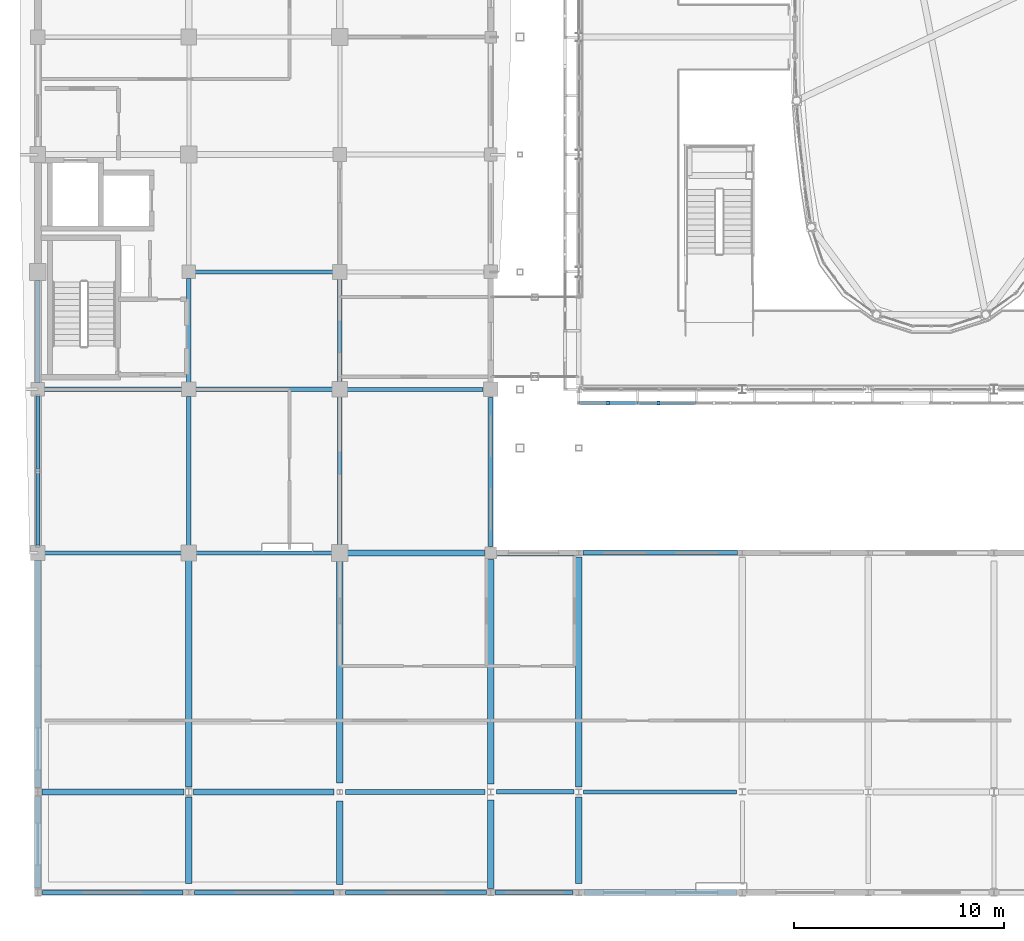
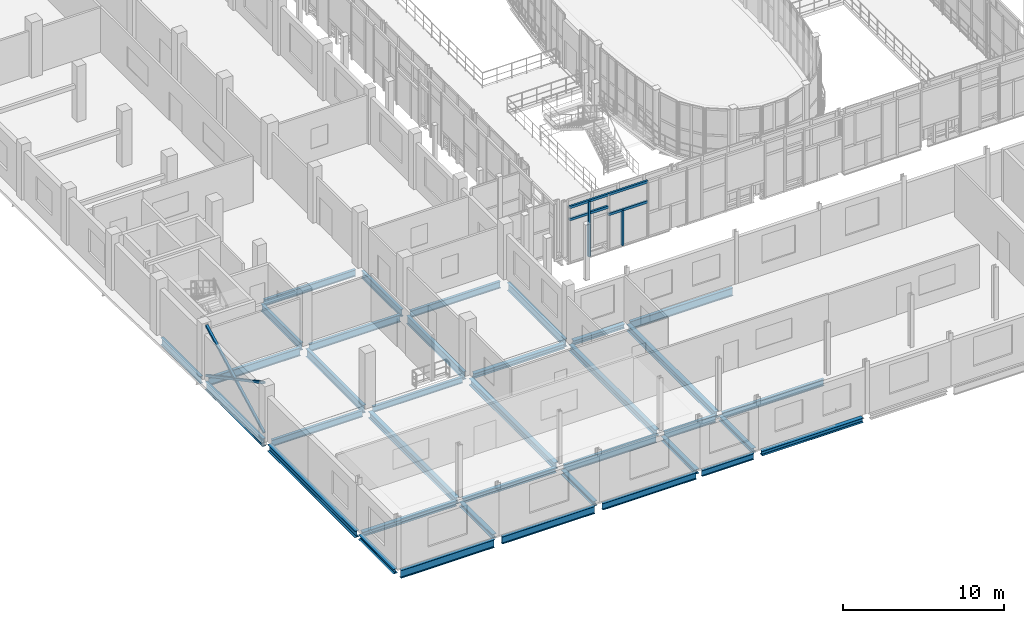
# One storey, part 28 of 121: 36 beams, 9 members.
"""IFC4 building model written with IfcOpenShell, lengths in metres."""

from ifc_helpers import new_model, si_unit, direction, frame, origin, origin_2d, place, context, subcontext, project, spatial, rectangle, hollow_rectangle, i_section, extrude, material, material_profile, profile_set, type_object, element, save


model = new_model("IFC4")

# Units and contexts
model_context = context("Model", 3, precision=1e-05, world=origin(), true_north=direction((0.0, 1.0)))
body_context = subcontext(model_context, "Body", "Model", "MODEL_VIEW")
ifc_project = project(units=[si_unit("LENGTHUNIT", "METRE"), si_unit("AREAUNIT", "SQUARE_METRE"), si_unit("VOLUMEUNIT", "CUBIC_METRE"), si_unit("PLANEANGLEUNIT", "RADIAN"), si_unit("MASSUNIT", "GRAM", prefix="KILO")], contexts=[model_context])

# Site, building, storey
site_placement = place(None, origin())
site = spatial("IfcSite", under=ifc_project, at=site_placement, CompositionType="ELEMENT")
building_placement = place(site_placement, origin())
building = spatial("IfcBuilding", under=site, at=building_placement, Name="Vinh Khe Railworks Police Headquarters", CompositionType="ELEMENT")
storey_placement = place(building_placement, frame((0.0, 0.0, 4.800048828125)))
storey = spatial("IfcBuildingStorey", under=building, at=storey_placement, Name="L01", CompositionType="ELEMENT", Elevation=4.800048828125)

# Members
ifc_material_1 = material(Name="Steel S355JR", Category="steel")
ifc_material_profile_1 = material_profile(ifc_material_1, hollow_rectangle(XDim=0.159912109375, YDim=0.159912109375, WallThickness=0.010009765625, at=origin_2d()), Name="SHS 160x160x10")
ifc_profile_set_1 = profile_set([ifc_material_profile_1], Name="Steel S355JR")
member_type_1 = type_object("IfcMemberType", Name="Concentric Brace SHS 160x160x10", PredefinedType="BRACE", material=ifc_profile_set_1)
member_1_placement = place(storey_placement, frame((0.60009765625, 17.72998046875, 0.199951171875), z_axis=(0.0, 0.883441335437, 0.468541787722), x_axis=(-1.0, 0.0, 0.0)))
element("IfcMember", 1, at=member_1_placement, inside=storey, type_object=member_type_1, Name="Continuous Concentric Brace MEM-BR-L01-BR-04-004", PredefinedType="BRACE", context=body_context, shape_type="SweptSolid", body=[
    extrude(hollow_rectangle(XDim=0.159912109375, YDim=0.159912109375, WallThickness=0.010009765625, at=origin_2d()), origin(), (0.0, 0.0, 1.0), 8.1103515625),
])
for number, where, z_axis, x_axis, name in (
    (2, (0.60009765625, 17.72998046875, 4.0), (0.0, 0.883437816607, -0.468548422459), (-1.0, 0.0, 0.0), "Split X-Brace Segment MEM-BR-L01-BR-04-005 (2A)"),
    (3, (0.60009765625, 21.385986328125, 2.06103515625), (0.0, 0.883437816607, -0.468548422459), (-1.0, 0.0, 0.0), "Split X-Brace Segment MEM-BR-L01-BR-04-006 (2B)"),
):
    element("IfcMember", number, at=place(storey_placement, frame(where, z_axis=z_axis, x_axis=x_axis)), inside=storey, type_object=member_type_1, Name=name, PredefinedType="BRACE", context=body_context, shape_type="SweptSolid", body=[
        extrude(hollow_rectangle(XDim=0.159912109375, YDim=0.159912109375, WallThickness=0.010009765625, at=origin_2d()), origin(), (0.0, 0.0, 1.0), 3.971923828125),
    ])
ifc_material_2 = material(Name="Salvaged ironwood timber", Category="wood")
ifc_material_profile_2 = material_profile(ifc_material_2, rectangle(XDim=0.139892578125, YDim=0.179931640625, at=origin_2d()), Name="TIMBER 140x180")
ifc_profile_set_2 = profile_set([ifc_material_profile_2], Name="Salvaged ironwood timber")
member_type_2 = type_object("IfcMemberType", Name="MEM-QUILT-STILE", PredefinedType="CHORD", material=ifc_profile_set_2)
for number, where, z_axis, x_axis, name in (
    (4, (26.39990234375, 24.550048828125, 4.119873046875), (1.0, 0.0, 0.0), (0.0, 1.0, 0.0), "Salvaged Timber Quilt Transom S-L01-00-TOP"),
    (5, (26.39990234375, 24.550048828125, 3.19189453125), (1.0, 0.0, 0.0), (0.0, 1.0, 0.0), "Salvaged Timber Quilt Transom S-L01-00-M1"),
):
    element("IfcMember", number, at=place(storey_placement, frame(where, z_axis=z_axis, x_axis=x_axis)), inside=storey, type_object=member_type_2, Name=name, PredefinedType="CHORD", context=body_context, shape_type="SweptSolid", body=[
        extrude(rectangle(XDim=0.139892578125, YDim=0.179931640625, at=origin_2d()), origin(), (0.0, 0.0, 1.0), 2.800048828125),
    ])
member_2_placement = place(storey_placement, frame((27.800048828125, 24.550048828125, -0.080078125), z_axis=(0.0, 0.0, 1.0), x_axis=(1.0, 0.0, 0.0)))
element("IfcMember", 6, at=member_2_placement, inside=storey, type_object=member_type_2, Name="Salvaged Timber Quilt Stile S-L01-00-V1", PredefinedType="POST", context=body_context, shape_type="SweptSolid", body=[
    extrude(rectangle(XDim=0.139892578125, YDim=0.179931640625, at=origin_2d()), origin(), (0.0, 0.0, 1.0), 4.199951171875),
])
for number, where, z_axis, x_axis, name in (
    (7, (29.199951171875, 24.550048828125, 4.119873046875), (1.0, 0.0, 0.0), (0.0, 1.0, 0.0), "Salvaged Timber Quilt Transom S-L01-01-TOP"),
    (8, (29.199951171875, 24.550048828125, 2.60400390625), (1.0, 0.0, 0.0), (0.0, 1.0, 0.0), "Salvaged Timber Quilt Transom S-L01-01-M1"),
):
    element("IfcMember", number, at=place(storey_placement, frame(where, z_axis=z_axis, x_axis=x_axis)), inside=storey, type_object=member_type_2, Name=name, PredefinedType="CHORD", context=body_context, shape_type="SweptSolid", body=[
        extrude(rectangle(XDim=0.139892578125, YDim=0.179931640625, at=origin_2d()), origin(), (0.0, 0.0, 1.0), 2.800048828125),
    ])
member_3_placement = place(storey_placement, frame((30.2080078125, 24.550048828125, -0.080078125), z_axis=(0.0, 0.0, 1.0), x_axis=(1.0, 0.0, 0.0)))
element("IfcMember", 9, at=member_3_placement, inside=storey, type_object=member_type_2, Name="Salvaged Timber Quilt Stile S-L01-01-V1", PredefinedType="POST", context=body_context, shape_type="SweptSolid", body=[
    extrude(rectangle(XDim=0.139892578125, YDim=0.179931640625, at=origin_2d()), origin(), (0.0, 0.0, 1.0), 2.68408203125),
])

# Beams
ifc_material_profile_3 = material_profile(ifc_material_1, i_section(OverallWidth=0.300048828125, OverallDepth=0.330078125, WebThickness=0.009521484375, FlangeThickness=0.0166015625, FilletRadius=0.027099609375, at=origin_2d()), Name="HEA 340")
ifc_profile_set_3 = profile_set([ifc_material_profile_3], Name="Steel S355JR")
beam_type_1 = type_object("IfcBeamType", Name="Steel Girder HEA 340", PredefinedType="BEAM", material=ifc_profile_set_3)
beam_1_placement = place(storey_placement, frame((8.030029296875, 6.0, -0.405029296875), z_axis=(1.0, 0.0, 0.0), x_axis=(0.0, 1.0, 0.0)))
element("IfcBeam", 10, at=beam_1_placement, inside=storey, type_object=beam_type_1, Name="Girder BM-L01-EW-SB-16-0416", PredefinedType="BEAM", context=body_context, shape_type="SweptSolid", body=[
    extrude(i_section(OverallWidth=0.300048828125, OverallDepth=0.330078125, WebThickness=0.009521484375, FlangeThickness=0.0166015625, FilletRadius=0.027099609375, at=origin_2d()), origin(), (0.0, 0.0, 1.0), 6.68994140625),
])
beam_2_placement = place(storey_placement, frame((22.5048828125, 17.39990234375, -0.405029296875), z_axis=(1.0, 0.0, 0.0), x_axis=(0.0, 1.0, 0.0)))
element("IfcBeam", 11, at=beam_2_placement, inside=storey, type_object=beam_type_1, Name="Girder BM-L01-EW-SB-16-0428", PredefinedType="BEAM", context=body_context, shape_type="SweptSolid", body=[
    extrude(i_section(OverallWidth=0.300048828125, OverallDepth=0.330078125, WebThickness=0.009521484375, FlangeThickness=0.0166015625, FilletRadius=0.027099609375, at=origin_2d()), origin(), (0.0, 0.0, 1.0), 3.690185546875),
])
ifc_material_profile_4 = material_profile(ifc_material_1, i_section(OverallWidth=0.300048828125, OverallDepth=0.35009765625, WebThickness=0.010009765625, FlangeThickness=0.017578125, FilletRadius=0.027099609375, at=origin_2d()), Name="HEA 360")
ifc_profile_set_4 = profile_set([ifc_material_profile_4], Name="Steel S355JR")
beam_type_2 = type_object("IfcBeamType", Name="Steel Girder HEA 360", PredefinedType="BEAM", material=ifc_profile_set_4)
beam_3_placement = place(storey_placement, frame((26.679931640625, 1.199951171875, -0.4150390625), z_axis=(1.0, 0.0, 0.0), x_axis=(0.0, 1.0, 0.0)))
element("IfcBeam", 12, at=beam_3_placement, inside=storey, type_object=beam_type_2, Name="Girder BM-L01-EW-SB-15-0409", PredefinedType="BEAM", context=body_context, shape_type="SweptSolid", body=[
    extrude(i_section(OverallWidth=0.300048828125, OverallDepth=0.35009765625, WebThickness=0.010009765625, FlangeThickness=0.017578125, FilletRadius=0.027099609375, at=origin_2d()), origin(), (0.0, 0.0, 1.0), 7.239990234375),
])
beam_4_placement = place(storey_placement, frame((0.804931640625, 6.0, -0.4150390625), z_axis=(1.0, 0.0, 0.0), x_axis=(0.0, 1.0, 0.0)))
element("IfcBeam", 13, at=beam_4_placement, inside=storey, type_object=beam_type_2, Name="Girder BM-L01-EW-SB-15-0415", PredefinedType="BEAM", context=body_context, shape_type="SweptSolid", body=[
    extrude(i_section(OverallWidth=0.300048828125, OverallDepth=0.35009765625, WebThickness=0.010009765625, FlangeThickness=0.017578125, FilletRadius=0.027099609375, at=origin_2d()), origin(), (0.0, 0.0, 1.0), 6.76513671875),
])
beam_5_placement = place(storey_placement, frame((15.3798828125, 17.39990234375, -0.4150390625), z_axis=(1.0, 0.0, 0.0), x_axis=(0.0, 1.0, 0.0)))
element("IfcBeam", 14, at=beam_5_placement, inside=storey, type_object=beam_type_2, Name="Girder BM-L01-EW-SB-15-0427", PredefinedType="BEAM", context=body_context, shape_type="SweptSolid", body=[
    extrude(i_section(OverallWidth=0.300048828125, OverallDepth=0.35009765625, WebThickness=0.010009765625, FlangeThickness=0.017578125, FilletRadius=0.027099609375, at=origin_2d()), origin(), (0.0, 0.0, 1.0), 6.51513671875),
])
beam_6_placement = place(storey_placement, frame((0.60009765625, 1.429931640625, -0.4150390625), z_axis=(0.0, 1.0, 0.0), x_axis=(-1.0, 0.0, 0.0)))
element("IfcBeam", 15, at=beam_6_placement, inside=storey, type_object=beam_type_2, Name="Girder BM-L01-NS-SB-15-0559", PredefinedType="BEAM", context=body_context, shape_type="SweptSolid", body=[
    extrude(i_section(OverallWidth=0.300048828125, OverallDepth=0.35009765625, WebThickness=0.010009765625, FlangeThickness=0.017578125, FilletRadius=0.027099609375, at=origin_2d()), origin(), (0.0, 0.0, 1.0), 4.364990234375),
])
beam_7_placement = place(storey_placement, frame((7.800048828125, 1.6298828125, -0.4150390625), z_axis=(0.0, 1.0, 0.0), x_axis=(-1.0, 0.0, 0.0)))
element("IfcBeam", 16, at=beam_7_placement, inside=storey, type_object=beam_type_2, Name="Girder BM-L01-NS-SB-15-0577", PredefinedType="BEAM", context=body_context, shape_type="SweptSolid", body=[
    extrude(i_section(OverallWidth=0.300048828125, OverallDepth=0.35009765625, WebThickness=0.010009765625, FlangeThickness=0.017578125, FilletRadius=0.027099609375, at=origin_2d()), origin(), (0.0, 0.0, 1.0), 4.14013671875),
])
beam_8_placement = place(storey_placement, frame((15.0, 1.580078125, -0.4150390625), z_axis=(0.0, 1.0, 0.0), x_axis=(-1.0, 0.0, 0.0)))
element("IfcBeam", 17, at=beam_8_placement, inside=storey, type_object=beam_type_2, Name="Girder BM-L01-NS-SB-15-0595", PredefinedType="BEAM", context=body_context, shape_type="SweptSolid", body=[
    extrude(i_section(OverallWidth=0.300048828125, OverallDepth=0.35009765625, WebThickness=0.010009765625, FlangeThickness=0.017578125, FilletRadius=0.027099609375, at=origin_2d()), origin(), (0.0, 0.0, 1.0), 3.989990234375),
])
beam_9_placement = place(storey_placement, frame((22.199951171875, 1.405029296875, -0.4150390625), z_axis=(0.0, 1.0, 0.0), x_axis=(-1.0, 0.0, 0.0)))
element("IfcBeam", 18, at=beam_9_placement, inside=storey, type_object=beam_type_2, Name="Girder BM-L01-NS-SB-15-0613", PredefinedType="BEAM", context=body_context, shape_type="SweptSolid", body=[
    extrude(i_section(OverallWidth=0.300048828125, OverallDepth=0.35009765625, WebThickness=0.010009765625, FlangeThickness=0.017578125, FilletRadius=0.027099609375, at=origin_2d()), origin(), (0.0, 0.0, 1.0), 4.215087890625),
])
beam_10_placement = place(storey_placement, frame((26.39990234375, 1.6298828125, -0.4150390625), z_axis=(0.0, 1.0, 0.0), x_axis=(-1.0, 0.0, 0.0)))
element("IfcBeam", 19, at=beam_10_placement, inside=storey, type_object=beam_type_2, Name="Girder BM-L01-NS-SB-15-0631", PredefinedType="BEAM", context=body_context, shape_type="SweptSolid", body=[
    extrude(i_section(OverallWidth=0.300048828125, OverallDepth=0.35009765625, WebThickness=0.010009765625, FlangeThickness=0.017578125, FilletRadius=0.027099609375, at=origin_2d()), origin(), (0.0, 0.0, 1.0), 4.14013671875),
])
ifc_material_profile_5 = material_profile(ifc_material_1, i_section(OverallWidth=0.300048828125, OverallDepth=0.5, WebThickness=0.014404296875, FlangeThickness=0.028076171875, FilletRadius=0.027099609375, at=origin_2d()), Name="HEB 500")
ifc_profile_set_5 = profile_set([ifc_material_profile_5], Name="Steel S355JR")
beam_type_3 = type_object("IfcBeamType", Name="Steel Girder HEB 500", PredefinedType="BEAM", material=ifc_profile_set_5)
beam_11_placement = place(storey_placement, frame((0.60009765625, 6.205078125, -0.489990234375), z_axis=(0.0, 1.0, 0.0), x_axis=(-1.0, 0.0, 0.0)))
element("IfcBeam", 20, at=beam_11_placement, inside=storey, type_object=beam_type_3, Name="Girder BM-L01-NS-SB-06-0560", PredefinedType="BEAM", context=body_context, shape_type="SweptSolid", body=[
    extrude(i_section(OverallWidth=0.300048828125, OverallDepth=0.5, WebThickness=0.014404296875, FlangeThickness=0.028076171875, FilletRadius=0.027099609375, at=origin_2d()), origin(), (0.0, 0.0, 1.0), 10.864990234375),
])
beam_12_placement = place(storey_placement, frame((7.800048828125, 6.22998046875, -0.489990234375), z_axis=(0.0, 1.0, 0.0), x_axis=(-1.0, 0.0, 0.0)))
element("IfcBeam", 21, at=beam_12_placement, inside=storey, type_object=beam_type_3, Name="Girder BM-L01-NS-SB-06-0578", PredefinedType="BEAM", context=body_context, shape_type="SweptSolid", body=[
    extrude(i_section(OverallWidth=0.300048828125, OverallDepth=0.5, WebThickness=0.014404296875, FlangeThickness=0.028076171875, FilletRadius=0.027099609375, at=origin_2d()), origin(), (0.0, 0.0, 1.0), 10.81494140625),
])
beam_13_placement = place(storey_placement, frame((15.0, 6.429931640625, -0.489990234375), z_axis=(0.0, 1.0, 0.0), x_axis=(-1.0, 0.0, 0.0)))
element("IfcBeam", 22, at=beam_13_placement, inside=storey, type_object=beam_type_3, Name="Girder BM-L01-NS-SB-06-0596", PredefinedType="BEAM", context=body_context, shape_type="SweptSolid", body=[
    extrude(i_section(OverallWidth=0.300048828125, OverallDepth=0.5, WebThickness=0.014404296875, FlangeThickness=0.028076171875, FilletRadius=0.027099609375, at=origin_2d()), origin(), (0.0, 0.0, 1.0), 10.590087890625),
])
beam_14_placement = place(storey_placement, frame((22.199951171875, 6.3798828125, -0.489990234375), z_axis=(0.0, 1.0, 0.0), x_axis=(-1.0, 0.0, 0.0)))
element("IfcBeam", 23, at=beam_14_placement, inside=storey, type_object=beam_type_3, Name="Girder BM-L01-NS-SB-06-0614", PredefinedType="BEAM", context=body_context, shape_type="SweptSolid", body=[
    extrude(i_section(OverallWidth=0.300048828125, OverallDepth=0.5, WebThickness=0.014404296875, FlangeThickness=0.028076171875, FilletRadius=0.027099609375, at=origin_2d()), origin(), (0.0, 0.0, 1.0), 10.715087890625),
])
beam_15_placement = place(storey_placement, frame((26.39990234375, 6.22998046875, -0.489990234375), z_axis=(0.0, 1.0, 0.0), x_axis=(-1.0, 0.0, 0.0)))
element("IfcBeam", 24, at=beam_15_placement, inside=storey, type_object=beam_type_3, Name="Girder BM-L01-NS-SB-06-0632", PredefinedType="BEAM", context=body_context, shape_type="SweptSolid", body=[
    extrude(i_section(OverallWidth=0.300048828125, OverallDepth=0.5, WebThickness=0.014404296875, FlangeThickness=0.028076171875, FilletRadius=0.027099609375, at=origin_2d()), origin(), (0.0, 0.0, 1.0), 10.965087890625),
])
ifc_material_profile_6 = material_profile(ifc_material_1, i_section(OverallWidth=0.18994140625, OverallDepth=0.449951171875, WebThickness=0.009521484375, FlangeThickness=0.0146484375, FilletRadius=0.02099609375, at=origin_2d()), Name="IPE 450")
ifc_profile_set_6 = profile_set([ifc_material_profile_6], Name="Steel S355JR")
beam_type_4 = type_object("IfcBeamType", Name="Steel Girder IPE 450", PredefinedType="BEAM", material=ifc_profile_set_6)
beam_16_placement = place(storey_placement, frame((22.405029296875, 1.199951171875, -0.465087890625), z_axis=(1.0, 0.0, 0.0), x_axis=(0.0, 1.0, 0.0)))
element("IfcBeam", 25, at=beam_16_placement, inside=storey, type_object=beam_type_4, Name="Girder BM-L01-EW-SB-20-0408", PredefinedType="BEAM", context=body_context, shape_type="SweptSolid", body=[
    extrude(i_section(OverallWidth=0.18994140625, OverallDepth=0.449951171875, WebThickness=0.009521484375, FlangeThickness=0.0146484375, FilletRadius=0.02099609375, at=origin_2d()), origin(), (0.0, 0.0, 1.0), 3.715087890625),
])
beam_17_placement = place(storey_placement, frame((8.155029296875, 17.39990234375, -0.465087890625), z_axis=(1.0, 0.0, 0.0), x_axis=(0.0, 1.0, 0.0)))
element("IfcBeam", 26, at=beam_17_placement, inside=storey, type_object=beam_type_4, Name="Girder BM-L01-EW-SB-20-0426", PredefinedType="BEAM", context=body_context, shape_type="SweptSolid", body=[
    extrude(i_section(OverallWidth=0.18994140625, OverallDepth=0.449951171875, WebThickness=0.009521484375, FlangeThickness=0.0146484375, FilletRadius=0.02099609375, at=origin_2d()), origin(), (0.0, 0.0, 1.0), 6.465087890625),
])
ifc_material_profile_7 = material_profile(ifc_material_1, i_section(OverallWidth=0.199951171875, OverallDepth=0.5, WebThickness=0.01025390625, FlangeThickness=0.01611328125, FilletRadius=0.02099609375, at=origin_2d()), Name="IPE 500")
ifc_profile_set_7 = profile_set([ifc_material_profile_7], Name="Steel S355JR")
beam_type_5 = type_object("IfcBeamType", Name="Steel Girder IPE 500", PredefinedType="BEAM", material=ifc_profile_set_7)
beam_18_placement = place(storey_placement, frame((15.280029296875, 1.199951171875, -0.489990234375), z_axis=(1.0, 0.0, 0.0), x_axis=(0.0, 1.0, 0.0)))
element("IfcBeam", 27, at=beam_18_placement, inside=storey, type_object=beam_type_5, Name="Girder BM-L01-EW-SB-19-0407", PredefinedType="BEAM", context=body_context, shape_type="SweptSolid", body=[
    extrude(i_section(OverallWidth=0.199951171875, OverallDepth=0.5, WebThickness=0.01025390625, FlangeThickness=0.01611328125, FilletRadius=0.02099609375, at=origin_2d()), origin(), (0.0, 0.0, 1.0), 6.715087890625),
])
beam_19_placement = place(storey_placement, frame((26.6298828125, 6.0, -0.489990234375), z_axis=(1.0, 0.0, 0.0), x_axis=(0.0, 1.0, 0.0)))
element("IfcBeam", 28, at=beam_19_placement, inside=storey, type_object=beam_type_5, Name="Girder BM-L01-EW-SB-19-0419", PredefinedType="BEAM", context=body_context, shape_type="SweptSolid", body=[
    extrude(i_section(OverallWidth=0.199951171875, OverallDepth=0.5, WebThickness=0.01025390625, FlangeThickness=0.01611328125, FilletRadius=0.02099609375, at=origin_2d()), origin(), (0.0, 0.0, 1.0), 7.2900390625),
])
beam_20_placement = place(storey_placement, frame((0.929931640625, 17.39990234375, -0.489990234375), z_axis=(1.0, 0.0, 0.0), x_axis=(0.0, 1.0, 0.0)))
element("IfcBeam", 29, at=beam_20_placement, inside=storey, type_object=beam_type_5, Name="Girder BM-L01-EW-SB-19-0425", PredefinedType="BEAM", context=body_context, shape_type="SweptSolid", body=[
    extrude(i_section(OverallWidth=0.199951171875, OverallDepth=0.5, WebThickness=0.01025390625, FlangeThickness=0.01611328125, FilletRadius=0.02099609375, at=origin_2d()), origin(), (0.0, 0.0, 1.0), 6.51513671875),
])
beam_21_placement = place(storey_placement, frame((15.35498046875, 25.199951171875, -0.489990234375), z_axis=(1.0, 0.0, 0.0), x_axis=(0.0, 1.0, 0.0)))
element("IfcBeam", 30, at=beam_21_placement, inside=storey, type_object=beam_type_5, Name="Girder BM-L01-EW-SB-19-0437", PredefinedType="BEAM", context=body_context, shape_type="SweptSolid", body=[
    extrude(i_section(OverallWidth=0.199951171875, OverallDepth=0.5, WebThickness=0.01025390625, FlangeThickness=0.01611328125, FilletRadius=0.02099609375, at=origin_2d()), origin(), (0.0, 0.0, 1.0), 6.465087890625),
])
beam_22_placement = place(storey_placement, frame((8.10498046875, 30.800048828125, -0.489990234375), z_axis=(1.0, 0.0, 0.0), x_axis=(0.0, 1.0, 0.0)))
element("IfcBeam", 31, at=beam_22_placement, inside=storey, type_object=beam_type_5, Name="Girder BM-L01-EW-SB-19-0443", PredefinedType="BEAM", context=body_context, shape_type="SweptSolid", body=[
    extrude(i_section(OverallWidth=0.199951171875, OverallDepth=0.5, WebThickness=0.01025390625, FlangeThickness=0.01611328125, FilletRadius=0.02099609375, at=origin_2d()), origin(), (0.0, 0.0, 1.0), 6.56494140625),
])
ifc_material_profile_8 = material_profile(ifc_material_1, i_section(OverallWidth=0.2099609375, OverallDepth=0.550048828125, WebThickness=0.010986328125, FlangeThickness=0.01708984375, FilletRadius=0.02392578125, at=origin_2d()), Name="IPE 550")
ifc_profile_set_8 = profile_set([ifc_material_profile_8], Name="Steel S355JR")
beam_type_6 = type_object("IfcBeamType", Name="Steel Girder IPE 550", PredefinedType="BEAM", material=ifc_profile_set_8)
beam_23_placement = place(storey_placement, frame((8.080078125, 1.199951171875, -0.51513671875), z_axis=(1.0, 0.0, 0.0), x_axis=(0.0, 1.0, 0.0)))
element("IfcBeam", 32, at=beam_23_placement, inside=storey, type_object=beam_type_6, Name="Girder BM-L01-EW-SB-18-0406", PredefinedType="BEAM", context=body_context, shape_type="SweptSolid", body=[
    extrude(i_section(OverallWidth=0.2099609375, OverallDepth=0.550048828125, WebThickness=0.010986328125, FlangeThickness=0.01708984375, FilletRadius=0.02392578125, at=origin_2d()), origin(), (0.0, 0.0, 1.0), 6.639892578125),
])
beam_24_placement = place(storey_placement, frame((22.47998046875, 6.0, -0.51513671875), z_axis=(1.0, 0.0, 0.0), x_axis=(0.0, 1.0, 0.0)))
element("IfcBeam", 33, at=beam_24_placement, inside=storey, type_object=beam_type_6, Name="Girder BM-L01-EW-SB-18-0418", PredefinedType="BEAM", context=body_context, shape_type="SweptSolid", body=[
    extrude(i_section(OverallWidth=0.2099609375, OverallDepth=0.550048828125, WebThickness=0.010986328125, FlangeThickness=0.01708984375, FilletRadius=0.02392578125, at=origin_2d()), origin(), (0.0, 0.0, 1.0), 3.68994140625),
])
beam_25_placement = place(storey_placement, frame((8.1298828125, 25.199951171875, -0.51513671875), z_axis=(1.0, 0.0, 0.0), x_axis=(0.0, 1.0, 0.0)))
element("IfcBeam", 34, at=beam_25_placement, inside=storey, type_object=beam_type_6, Name="Girder BM-L01-EW-SB-18-0436", PredefinedType="BEAM", context=body_context, shape_type="SweptSolid", body=[
    extrude(i_section(OverallWidth=0.2099609375, OverallDepth=0.550048828125, WebThickness=0.010986328125, FlangeThickness=0.01708984375, FilletRadius=0.02392578125, at=origin_2d()), origin(), (0.0, 0.0, 1.0), 6.51513671875),
])
beam_26_placement = place(storey_placement, frame((0.60009765625, 25.5048828125, -0.51513671875), z_axis=(0.0, 1.0, 0.0), x_axis=(-1.0, 0.0, 0.0)))
element("IfcBeam", 35, at=beam_26_placement, inside=storey, type_object=beam_type_6, Name="Girder BM-L01-NS-SB-18-0562", PredefinedType="BEAM", context=body_context, shape_type="SweptSolid", body=[
    extrude(i_section(OverallWidth=0.2099609375, OverallDepth=0.550048828125, WebThickness=0.010986328125, FlangeThickness=0.01708984375, FilletRadius=0.02392578125, at=origin_2d()), origin(), (0.0, 0.0, 1.0), 4.9150390625),
])
beam_27_placement = place(storey_placement, frame((7.800048828125, 25.530029296875, -0.51513671875), z_axis=(0.0, 1.0, 0.0), x_axis=(-1.0, 0.0, 0.0)))
element("IfcBeam", 36, at=beam_27_placement, inside=storey, type_object=beam_type_6, Name="Girder BM-L01-NS-SB-18-0580", PredefinedType="BEAM", context=body_context, shape_type="SweptSolid", body=[
    extrude(i_section(OverallWidth=0.2099609375, OverallDepth=0.550048828125, WebThickness=0.010986328125, FlangeThickness=0.01708984375, FilletRadius=0.02392578125, at=origin_2d()), origin(), (0.0, 0.0, 1.0), 4.965087890625),
])
beam_28_placement = place(storey_placement, frame((15.0, 25.554931640625, -0.51513671875), z_axis=(0.0, 1.0, 0.0), x_axis=(-1.0, 0.0, 0.0)))
element("IfcBeam", 37, at=beam_28_placement, inside=storey, type_object=beam_type_6, Name="Girder BM-L01-NS-SB-18-0598", PredefinedType="BEAM", context=body_context, shape_type="SweptSolid", body=[
    extrude(i_section(OverallWidth=0.2099609375, OverallDepth=0.550048828125, WebThickness=0.010986328125, FlangeThickness=0.01708984375, FilletRadius=0.02392578125, at=origin_2d()), origin(), (0.0, 0.0, 1.0), 4.9150390625),
])
ifc_material_profile_9 = material_profile(ifc_material_1, i_section(OverallWidth=0.219970703125, OverallDepth=0.60009765625, WebThickness=0.011962890625, FlangeThickness=0.01904296875, FilletRadius=0.02392578125, at=origin_2d()), Name="IPE 600")
ifc_profile_set_9 = profile_set([ifc_material_profile_9], Name="Steel S355JR")
beam_type_7 = type_object("IfcBeamType", Name="Steel Girder IPE 600", PredefinedType="BEAM", material=ifc_profile_set_9)
beam_29_placement = place(storey_placement, frame((0.830078125, 1.199951171875, -0.5400390625), z_axis=(1.0, 0.0, 0.0), x_axis=(0.0, 1.0, 0.0)))
element("IfcBeam", 38, at=beam_29_placement, inside=storey, type_object=beam_type_7, Name="Girder BM-L01-EW-SB-17-0405", PredefinedType="BEAM", context=body_context, shape_type="SweptSolid", body=[
    extrude(i_section(OverallWidth=0.219970703125, OverallDepth=0.60009765625, WebThickness=0.011962890625, FlangeThickness=0.01904296875, FilletRadius=0.02392578125, at=origin_2d()), origin(), (0.0, 0.0, 1.0), 6.68994140625),
])
beam_30_placement = place(storey_placement, frame((15.280029296875, 6.0, -0.5400390625), z_axis=(1.0, 0.0, 0.0), x_axis=(0.0, 1.0, 0.0)))
element("IfcBeam", 39, at=beam_30_placement, inside=storey, type_object=beam_type_7, Name="Girder BM-L01-EW-SB-17-0417", PredefinedType="BEAM", context=body_context, shape_type="SweptSolid", body=[
    extrude(i_section(OverallWidth=0.219970703125, OverallDepth=0.60009765625, WebThickness=0.011962890625, FlangeThickness=0.01904296875, FilletRadius=0.02392578125, at=origin_2d()), origin(), (0.0, 0.0, 1.0), 6.639892578125),
])
beam_31_placement = place(storey_placement, frame((26.60498046875, 17.39990234375, -0.5400390625), z_axis=(1.0, 0.0, 0.0), x_axis=(0.0, 1.0, 0.0)))
element("IfcBeam", 40, at=beam_31_placement, inside=storey, type_object=beam_type_7, Name="Girder BM-L01-EW-SB-17-0429", PredefinedType="BEAM", context=body_context, shape_type="SweptSolid", body=[
    extrude(i_section(OverallWidth=0.219970703125, OverallDepth=0.60009765625, WebThickness=0.011962890625, FlangeThickness=0.01904296875, FilletRadius=0.02392578125, at=origin_2d()), origin(), (0.0, 0.0, 1.0), 7.364990234375),
])
beam_32_placement = place(storey_placement, frame((0.905029296875, 25.199951171875, -0.5400390625), z_axis=(1.0, 0.0, 0.0), x_axis=(0.0, 1.0, 0.0)))
element("IfcBeam", 41, at=beam_32_placement, inside=storey, type_object=beam_type_7, Name="Girder BM-L01-EW-SB-17-0435", PredefinedType="BEAM", context=body_context, shape_type="SweptSolid", body=[
    extrude(i_section(OverallWidth=0.219970703125, OverallDepth=0.60009765625, WebThickness=0.011962890625, FlangeThickness=0.01904296875, FilletRadius=0.02392578125, at=origin_2d()), origin(), (0.0, 0.0, 1.0), 6.56494140625),
])
beam_33_placement = place(storey_placement, frame((0.60009765625, 17.72998046875, -0.5400390625), z_axis=(0.0, 1.0, 0.0), x_axis=(-1.0, 0.0, 0.0)))
element("IfcBeam", 42, at=beam_33_placement, inside=storey, type_object=beam_type_7, Name="Girder BM-L01-NS-SB-17-0561", PredefinedType="BEAM", context=body_context, shape_type="SweptSolid", body=[
    extrude(i_section(OverallWidth=0.219970703125, OverallDepth=0.60009765625, WebThickness=0.011962890625, FlangeThickness=0.01904296875, FilletRadius=0.02392578125, at=origin_2d()), origin(), (0.0, 0.0, 1.0), 7.1650390625),
])
beam_34_placement = place(storey_placement, frame((7.800048828125, 17.7548828125, -0.5400390625), z_axis=(0.0, 1.0, 0.0), x_axis=(-1.0, 0.0, 0.0)))
element("IfcBeam", 43, at=beam_34_placement, inside=storey, type_object=beam_type_7, Name="Girder BM-L01-NS-SB-17-0579", PredefinedType="BEAM", context=body_context, shape_type="SweptSolid", body=[
    extrude(i_section(OverallWidth=0.219970703125, OverallDepth=0.60009765625, WebThickness=0.011962890625, FlangeThickness=0.01904296875, FilletRadius=0.02392578125, at=origin_2d()), origin(), (0.0, 0.0, 1.0), 7.115234375),
])
beam_35_placement = place(storey_placement, frame((15.0, 17.780029296875, -0.5400390625), z_axis=(0.0, 1.0, 0.0), x_axis=(-1.0, 0.0, 0.0)))
element("IfcBeam", 44, at=beam_35_placement, inside=storey, type_object=beam_type_7, Name="Girder BM-L01-NS-SB-17-0597", PredefinedType="BEAM", context=body_context, shape_type="SweptSolid", body=[
    extrude(i_section(OverallWidth=0.219970703125, OverallDepth=0.60009765625, WebThickness=0.011962890625, FlangeThickness=0.01904296875, FilletRadius=0.02392578125, at=origin_2d()), origin(), (0.0, 0.0, 1.0), 7.06494140625),
])
beam_36_placement = place(storey_placement, frame((22.199951171875, 17.705078125, -0.5400390625), z_axis=(0.0, 1.0, 0.0), x_axis=(-1.0, 0.0, 0.0)))
element("IfcBeam", 45, at=beam_36_placement, inside=storey, type_object=beam_type_7, Name="Girder BM-L01-NS-SB-17-0615", PredefinedType="BEAM", context=body_context, shape_type="SweptSolid", body=[
    extrude(i_section(OverallWidth=0.219970703125, OverallDepth=0.60009765625, WebThickness=0.011962890625, FlangeThickness=0.01904296875, FilletRadius=0.02392578125, at=origin_2d()), origin(), (0.0, 0.0, 1.0), 7.114990234375),
])

save(model, "model.ifc")
